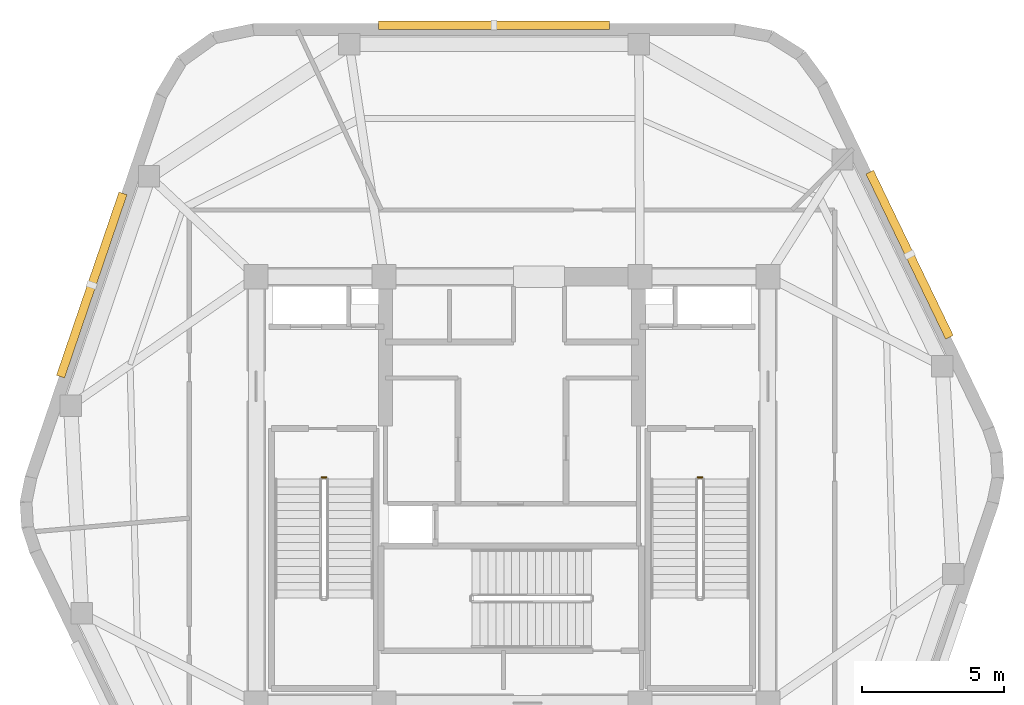
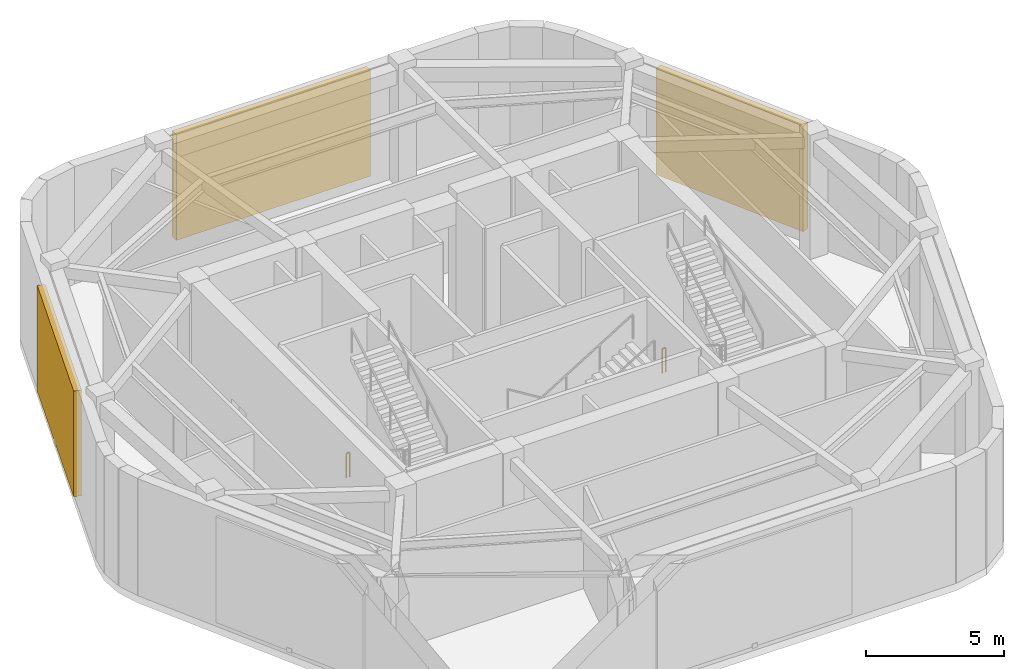
# One storey, part 6 of 6: 3 shading devices, 2 railings.
"""IFC4 building model written with IfcOpenShell, lengths in metres."""

from ifc_helpers import new_model, si_unit, direction, frame, origin, origin_2d, place, context, subcontext, project, spatial, rectangle, extrude, material, layer, layer_set, type_object, element, save


model = new_model("IFC4")

# Units and contexts
model_context = context("Model", 3, precision=1e-05, world=origin(), true_north=direction((0.0, 1.0)))
body_context = subcontext(model_context, "Body", "Model", "MODEL_VIEW")
ifc_project = project(units=[si_unit("LENGTHUNIT", "METRE"), si_unit("AREAUNIT", "SQUARE_METRE"), si_unit("VOLUMEUNIT", "CUBIC_METRE"), si_unit("PLANEANGLEUNIT", "RADIAN"), si_unit("MASSUNIT", "GRAM", prefix="KILO")], contexts=[model_context])

# Site, building, storey
site_placement = place(None, origin())
site = spatial("IfcSite", under=ifc_project, at=site_placement, CompositionType="ELEMENT")
building_placement = place(site_placement, origin())
building = spatial("IfcBuilding", under=site, at=building_placement, Name="Kilnhurst Terrace Hotel", CompositionType="ELEMENT")
storey_placement = place(building_placement, frame((0.0, 0.0, 310.39990234375)))
storey = spatial("IfcBuildingStorey", under=building, at=storey_placement, Name="L77", CompositionType="ELEMENT", Elevation=310.39990234375)

# Railings
ifc_material_1 = material(Name="Powder-Coated Steel ASTM A500 Grade B", Category="steel")
ifc_layer_1 = layer(ifc_material_1, 0.050048828125, Name="Powder-Coated Steel ASTM A500 Grade B")
ifc_layer_set_1 = layer_set([ifc_layer_1], Name="Powder-Coated Steel ASTM A500 Grade B")
railing_type = type_object("IfcRailingType", Name="RLG-ST-GRD-1100", PredefinedType="GUARDRAIL", material=ifc_layer_set_1)
for number, where, name in (
    (1, (-6.68994140625, 0.43994140625, 0.0), "L77 ST-1 stair guard 4"),
    (2, (6.5400390625, 0.43994140625, 0.0), "L77 ST-2 stair guard 4"),
):
    element("IfcRailing", number, at=place(storey_placement, frame(where)), inside=storey, type_object=railing_type, Name=name, PredefinedType="GUARDRAIL", context=body_context, shape_type="SweptSolid", body=[
        extrude(rectangle(XDim=0.048095703125, YDim=0.048095703125, at=origin_2d()), frame((0.0, 0.0, 1.076171875), z_axis=(1.0, 0.0, 0.0), x_axis=(0.0, 1.0, 0.0)), (0.0, 0.0, 1.0), 0.14990234375),
        extrude(rectangle(XDim=0.0419921875, YDim=0.0419921875, at=origin_2d()), origin(), (0.0, 0.0, 1.0), 1.052001953125),
        extrude(rectangle(XDim=0.0419921875, YDim=0.0419921875, at=origin_2d()), frame((0.14990234375, 0.0, 0.0)), (0.0, 0.0, 1.0), 1.052001953125),
    ])

# Shading devices
ifc_material_2 = material(Name="Bronze Anodized Extruded Aluminium Alloy 6063-T6", Category="aluminium")
ifc_layer_2 = layer(ifc_material_2, 0.300048828125, Name="Bronze Anodized Extruded Aluminium Alloy 6063-T6")
ifc_layer_set_2 = layer_set([ifc_layer_2], Name="Bronze Anodized Extruded Aluminium Alloy 6063-T6")
shading_device_type = type_object("IfcShadingDeviceType", Name="SHD-LVR-4680", PredefinedType="USERDEFINED", material=ifc_layer_set_2)
shading_device_1_placement = place(storey_placement, frame((13.98681640625, 8.273193359375, 0.25), z_axis=(0.0, 0.0, 1.0), x_axis=(-0.434665326531, 0.900592057433, 0.0)))
element("IfcShadingDevice", 3, at=shading_device_1_placement, inside=storey, type_object=shading_device_type, Name="L77 Mechanical Intake Storm Louvre F3", ObjectType="LOUVRE", PredefinedType="USERDEFINED", context=body_context, shape_type="SweptSolid", body=[
    extrude(rectangle(XDim=6.450927734375, YDim=0.300048828125, at=origin_2d()), origin(), (0.0, 0.0, 1.0), 4.679931640625),
])
shading_device_2_placement = place(storey_placement, frame((-0.632568359375, 16.35009765625, 0.25), z_axis=(0.0, 0.0, 1.0), x_axis=(-1.0, 0.0, 0.0)))
element("IfcShadingDevice", 4, at=shading_device_2_placement, inside=storey, type_object=shading_device_type, Name="L77 Mechanical Intake Storm Louvre F4", ObjectType="LOUVRE", PredefinedType="USERDEFINED", context=body_context, shape_type="SweptSolid", body=[
    extrude(rectangle(XDim=8.134033203125, YDim=0.300048828125, at=origin_2d()), origin(), (0.0, 0.0, 1.0), 4.679931640625),
])
shading_device_3_placement = place(storey_placement, frame((-14.783447265625, 7.208251953125, 0.25), z_axis=(0.0, 0.0, 1.0), x_axis=(-0.322546557531, -0.946553600292, 0.0)))
element("IfcShadingDevice", 5, at=shading_device_3_placement, inside=storey, type_object=shading_device_type, Name="L77 Mechanical Intake Storm Louvre F5", ObjectType="LOUVRE", PredefinedType="USERDEFINED", context=body_context, shape_type="SweptSolid", body=[
    extrude(rectangle(XDim=6.81103515625, YDim=0.300048828125, at=origin_2d()), origin(), (0.0, 0.0, 1.0), 4.679931640625),
])

save(model, "model.ifc")
